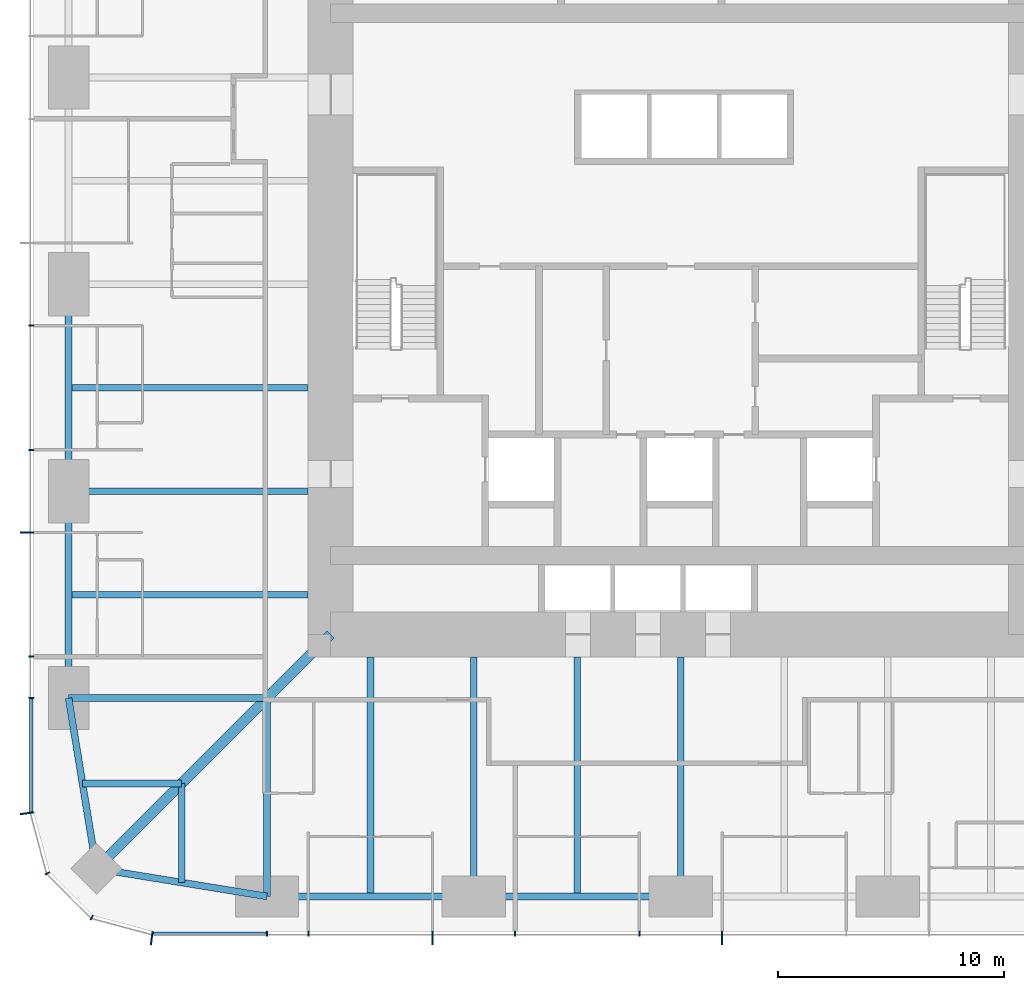
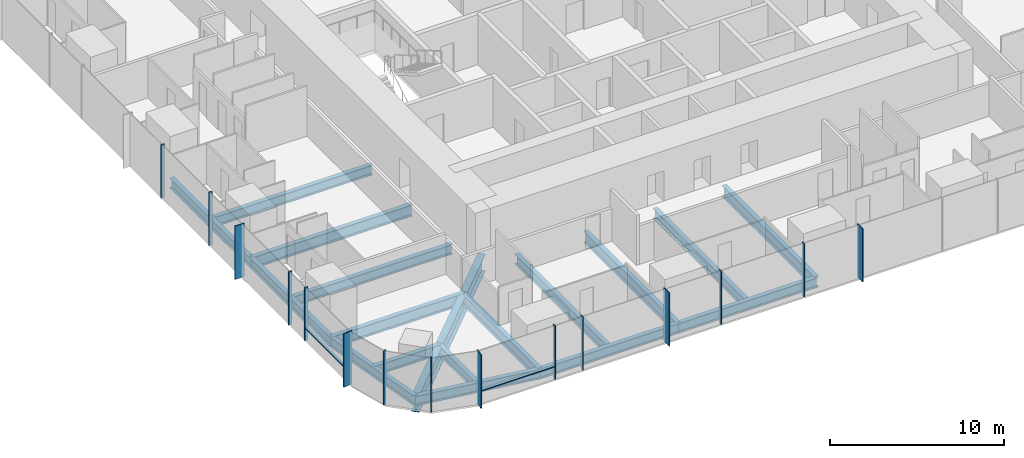
# One storey, part 2 of 13: 18 beams, 17 members, 3 elements without a shape of their own.
"""IFC4 building model written with IfcOpenShell, lengths in metres."""

from ifc_helpers import new_model, si_unit, direction, frame, origin, origin_2d, place, context, subcontext, project, spatial, rectangle, i_section, extrude, material, material_profile, profile_set, type_object, element, aggregate, save


model = new_model("IFC4")

# Units and contexts
model_context = context("Model", 3, precision=1e-05, world=origin(), true_north=direction((0.0, 1.0)))
body_context = subcontext(model_context, "Body", "Model", "MODEL_VIEW")
ifc_project = project(units=[si_unit("LENGTHUNIT", "METRE"), si_unit("AREAUNIT", "SQUARE_METRE"), si_unit("VOLUMEUNIT", "CUBIC_METRE"), si_unit("PLANEANGLEUNIT", "RADIAN"), si_unit("MASSUNIT", "GRAM", prefix="KILO")], contexts=[model_context])

# Site, building, storey
site_placement = place(None, origin())
site = spatial("IfcSite", under=ifc_project, at=site_placement, CompositionType="ELEMENT")
building_placement = place(site_placement, origin())
building = spatial("IfcBuilding", under=site, at=building_placement, Name="Khuree Lantern Residences", CompositionType="ELEMENT")
storey_placement = place(building_placement, frame((0.0, 0.0, 144.75)))
storey = spatial("IfcBuildingStorey", under=building, at=storey_placement, Name="L36", CompositionType="ELEMENT", Elevation=144.75)

# Beams
ifc_material_1 = material(Name="Steel S355", Category="steel")
ifc_material_profile_1 = material_profile(ifc_material_1, i_section(OverallWidth=0.300048828125, OverallDepth=0.68994140625, WebThickness=0.014404296875, FlangeThickness=0.027099609375, FilletRadius=0.027099609375, at=origin_2d()), Name="HE 700 A")
ifc_profile_set_1 = profile_set([ifc_material_profile_1], Name="Steel S355")
beam_type_1 = type_object("IfcBeamType", Name="B-23 SECONDARY BEAM HE 700 A", PredefinedType="BEAM", material=ifc_profile_set_1)
for number, where, z_axis, x_axis, name in (
    (1, (-4.580078125, -27.10009765625, -0.594970703125), (0.0, 1.0, 0.0), (-1.0, 0.0, 0.0), "Secondary beam S4"),
    (2, (-13.739990234375, -27.10009765625, -0.594970703125), (0.0, 1.0, 0.0), (-1.0, 0.0, 0.0), "Secondary beam S5"),
):
    element("IfcBeam", number, at=place(storey_placement, frame(where, z_axis=z_axis, x_axis=x_axis)), inside=storey, type_object=beam_type_1, Name=name, PredefinedType="BEAM", context=body_context, shape_type="SweptSolid", body=[
        extrude(i_section(OverallWidth=0.300048828125, OverallDepth=0.68994140625, WebThickness=0.014404296875, FlangeThickness=0.027099609375, FilletRadius=0.027099609375, at=origin_2d()), origin(), (0.0, 0.0, 1.0), 10.60009765625),
    ])
for number, where, z_axis, x_axis, name in (
    (3, (-22.094970703125, -26.48486328125, -0.594970703125), (0.0, 1.0, 0.0), (-1.0, 0.0, 0.0), "Secondary beam S6"),
    (4, (-26.48486328125, -22.094970703125, -0.594970703125), (1.0, 0.0, 0.0), (0.0, 1.0, 0.0), "Secondary beam W1"),
):
    element("IfcBeam", number, at=place(storey_placement, frame(where, z_axis=z_axis, x_axis=x_axis)), inside=storey, type_object=beam_type_1, Name=name, PredefinedType="BEAM", context=body_context, shape_type="SweptSolid", body=[
        extrude(i_section(OverallWidth=0.300048828125, OverallDepth=0.68994140625, WebThickness=0.014404296875, FlangeThickness=0.027099609375, FilletRadius=0.027099609375, at=origin_2d()), origin(), (0.0, 0.0, 1.0), 4.389892578125),
    ])
for number, where, z_axis, x_axis, name in (
    (5, (-27.10009765625, -13.739990234375, -0.594970703125), (1.0, 0.0, 0.0), (0.0, 1.0, 0.0), "Secondary beam W2"),
    (6, (-27.10009765625, -4.580078125, -0.594970703125), (1.0, 0.0, 0.0), (0.0, 1.0, 0.0), "Secondary beam W3"),
):
    element("IfcBeam", number, at=place(storey_placement, frame(where, z_axis=z_axis, x_axis=x_axis)), inside=storey, type_object=beam_type_1, Name=name, PredefinedType="BEAM", context=body_context, shape_type="SweptSolid", body=[
        extrude(i_section(OverallWidth=0.300048828125, OverallDepth=0.68994140625, WebThickness=0.014404296875, FlangeThickness=0.027099609375, FilletRadius=0.027099609375, at=origin_2d()), origin(), (0.0, 0.0, 1.0), 10.60009765625),
    ])
ifc_material_profile_2 = material_profile(ifc_material_1, i_section(OverallWidth=0.300048828125, OverallDepth=0.68994140625, WebThickness=0.014404296875, FlangeThickness=0.027099609375, FilletRadius=0.027099609375, at=origin_2d()), Name="HE 700 A")
ifc_profile_set_2 = profile_set([ifc_material_profile_2], Name="Steel S355")
beam_type_2 = type_object("IfcBeamType", Name="E-23 SPANDREL BEAM HE 700 A", PredefinedType="SPANDREL", material=ifc_profile_set_2)
beam_1_placement = place(storey_placement, frame((0.0, -27.10009765625, -0.594970703125), z_axis=(-1.0, 0.0, 0.0), x_axis=(0.0, -1.0, 0.0)))
element("IfcBeam", 7, at=beam_1_placement, inside=storey, type_object=beam_type_2, Name="Spandrel beam S4", PredefinedType="SPANDREL", context=body_context, shape_type="SweptSolid", body=[
    extrude(i_section(OverallWidth=0.300048828125, OverallDepth=0.68994140625, WebThickness=0.014404296875, FlangeThickness=0.027099609375, FilletRadius=0.027099609375, at=origin_2d()), origin(), (0.0, 0.0, 1.0), 9.159912109375),
])
beam_2_placement = place(storey_placement, frame((-9.159912109375, -27.10009765625, -0.594970703125), z_axis=(-1.0, 0.0, 0.0), x_axis=(0.0, -1.0, 0.0)))
element("IfcBeam", 8, at=beam_2_placement, inside=storey, type_object=beam_type_2, Name="Spandrel beam S5", PredefinedType="SPANDREL", context=body_context, shape_type="SweptSolid", body=[
    extrude(i_section(OverallWidth=0.300048828125, OverallDepth=0.68994140625, WebThickness=0.014404296875, FlangeThickness=0.027099609375, FilletRadius=0.027099609375, at=origin_2d()), origin(), (0.0, 0.0, 1.0), 9.16015625),
])
for number, where, z_axis, x_axis, name in (
    (9, (-18.320068359375, -27.10009765625, -0.594970703125), (-0.986982656839, 0.160826723833, 0.0), (-0.160826723833, -0.986982656839, 0.0), "Spandrel beam S6"),
    (10, (-25.869873046875, -25.869873046875, -0.594970703125), (-0.160826723833, 0.986982656839, 0.0), (-0.986982656839, -0.160826723833, 0.0), "Spandrel beam W1"),
):
    element("IfcBeam", number, at=place(storey_placement, frame(where, z_axis=z_axis, x_axis=x_axis)), inside=storey, type_object=beam_type_2, Name=name, PredefinedType="SPANDREL", context=body_context, shape_type="SweptSolid", body=[
        extrude(i_section(OverallWidth=0.300048828125, OverallDepth=0.68994140625, WebThickness=0.014404296875, FlangeThickness=0.027099609375, FilletRadius=0.027099609375, at=origin_2d()), origin(), (0.0, 0.0, 1.0), 7.6494140625),
    ])
beam_3_placement = place(storey_placement, frame((-27.10009765625, -18.320068359375, -0.594970703125), z_axis=(0.0, 1.0, 0.0), x_axis=(-1.0, 0.0, 0.0)))
element("IfcBeam", 11, at=beam_3_placement, inside=storey, type_object=beam_type_2, Name="Spandrel beam W2", PredefinedType="SPANDREL", context=body_context, shape_type="SweptSolid", body=[
    extrude(i_section(OverallWidth=0.300048828125, OverallDepth=0.68994140625, WebThickness=0.014404296875, FlangeThickness=0.027099609375, FilletRadius=0.027099609375, at=origin_2d()), origin(), (0.0, 0.0, 1.0), 9.16015625),
])
beam_4_placement = place(storey_placement, frame((-27.10009765625, -9.159912109375, -0.594970703125), z_axis=(0.0, 1.0, 0.0), x_axis=(-1.0, 0.0, 0.0)))
element("IfcBeam", 12, at=beam_4_placement, inside=storey, type_object=beam_type_2, Name="Spandrel beam W3", PredefinedType="SPANDREL", context=body_context, shape_type="SweptSolid", body=[
    extrude(i_section(OverallWidth=0.300048828125, OverallDepth=0.68994140625, WebThickness=0.014404296875, FlangeThickness=0.027099609375, FilletRadius=0.027099609375, at=origin_2d()), origin(), (0.0, 0.0, 1.0), 9.159912109375),
])

# Curtain wall, member
ifc_material_2 = material(Name="Bronze anodised aluminium", Category="aluminium")
curtain_wall_type_1 = type_object("IfcCurtainWallType", Name="CW-T1 TOWER FACE CURTAIN WALL", PredefinedType="USERDEFINED", material=ifc_material_2)
curtain_wall_1_placement = place(storey_placement, origin())
curtain_wall_1 = element("IfcCurtainWall", 13, at=curtain_wall_1_placement, inside=storey, type_object=curtain_wall_type_1, Name="L36 WEST FACE CURTAIN WALL", ObjectType="Stick-built curtain wall", PredefinedType="USERDEFINED")
ifc_material_profile_3 = material_profile(ifc_material_2, rectangle(XDim=0.06494140625, YDim=0.60009765625, at=origin_2d()), Name="F1 65X600")
ifc_profile_set_3 = profile_set([ifc_material_profile_3], Name="Bronze anodised aluminium")
member_type_1 = type_object("IfcMemberType", Name="F1 BRONZE FIN MULLION TOWER 65X600", PredefinedType="MULLION", material=ifc_profile_set_3)
member_1_placement = place(storey_placement, frame((-28.949951171875, -10.991943359375, 0.0), z_axis=(0.0, 0.0, 1.0), x_axis=(0.0, -1.0, 0.0)))
member_1 = element("IfcMember", 14, at=member_1_placement, type_object=member_type_1, Name="L36 WEST FACE FIN MULLION 40", PredefinedType="MULLION", context=body_context, shape_type="SweptSolid", body=[
    extrude(rectangle(XDim=0.06494140625, YDim=0.60009765625, at=origin_2d()), origin(), (0.0, 0.0, 1.0), 3.75),
])

curtain_wall_type_2 = type_object("IfcCurtainWallType", Name="CW-T2 TOWER CORNER CURTAIN WALL", PredefinedType="USERDEFINED", material=ifc_material_2)
curtain_wall_2_placement = place(storey_placement, origin())
curtain_wall_2 = element("IfcCurtainWall", 15, at=curtain_wall_2_placement, inside=storey, type_object=curtain_wall_type_2, Name="L36 SOUTH-WEST CORNER CURTAIN WALL", ObjectType="Faceted corner curtain wall", PredefinedType="USERDEFINED")
member_2_placement = place(storey_placement, frame((-28.9501953125, -23.419677734375, 0.0), z_axis=(0.0, 0.0, 1.0), x_axis=(0.130526223125, -0.991444857305, 0.0)))
member_2 = element("IfcMember", 16, at=member_2_placement, type_object=member_type_1, Name="L36 SOUTH-WEST CORNER FIN MULLION 43", PredefinedType="MULLION", context=body_context, shape_type="SweptSolid", body=[
    extrude(rectangle(XDim=0.06494140625, YDim=0.60009765625, at=origin_2d()), origin(), (0.0, 0.0, 1.0), 3.75),
])

# Curtain wall, members
curtain_wall_3_placement = place(storey_placement, origin())
curtain_wall_3 = element("IfcCurtainWall", 17, at=curtain_wall_3_placement, inside=storey, type_object=curtain_wall_type_1, Name="L36 SOUTH FACE CURTAIN WALL", ObjectType="Stick-built curtain wall", PredefinedType="USERDEFINED")
member_3_placement = place(storey_placement, frame((-23.419677734375, -28.9501953125, 0.0), z_axis=(0.0, 0.0, 1.0), x_axis=(0.991444857305, -0.130526223125, 0.0)))
member_3 = element("IfcMember", 18, at=member_3_placement, type_object=member_type_1, Name="L36 SOUTH FACE FIN MULLION 46", PredefinedType="MULLION", context=body_context, shape_type="SweptSolid", body=[
    extrude(rectangle(XDim=0.06494140625, YDim=0.60009765625, at=origin_2d()), origin(), (0.0, 0.0, 1.0), 3.75),
])
member_4_placement = place(storey_placement, frame((-10.991943359375, -28.949951171875, 0.0), z_axis=(0.0, 0.0, 1.0), x_axis=(1.0, 0.0, 0.0)))
member_4 = element("IfcMember", 19, at=member_4_placement, type_object=member_type_1, Name="L36 SOUTH FACE FIN MULLION 49", PredefinedType="MULLION", context=body_context, shape_type="SweptSolid", body=[
    extrude(rectangle(XDim=0.06494140625, YDim=0.60009765625, at=origin_2d()), origin(), (0.0, 0.0, 1.0), 3.75),
])
member_5_placement = place(storey_placement, frame((1.83203125, -28.949951171875, 0.0), z_axis=(0.0, 0.0, 1.0), x_axis=(1.0, 0.0, 0.0)))
member_5 = element("IfcMember", 20, at=member_5_placement, type_object=member_type_1, Name="L36 SOUTH FACE FIN MULLION 52", PredefinedType="MULLION", context=body_context, shape_type="SweptSolid", body=[
    extrude(rectangle(XDim=0.06494140625, YDim=0.60009765625, at=origin_2d()), origin(), (0.0, 0.0, 1.0), 3.75),
])

# Beams
ifc_material_profile_4 = material_profile(ifc_material_1, i_section(OverallWidth=0.300048828125, OverallDepth=0.800048828125, WebThickness=0.017578125, FlangeThickness=0.032958984375, FilletRadius=0.030029296875, at=origin_2d()), Name="HE 800 B")
ifc_profile_set_4 = profile_set([ifc_material_profile_4], Name="Steel S355")
beam_type_3 = type_object("IfcBeamType", Name="G-23 GIRDER HE 800 B", PredefinedType="BEAM", material=ifc_profile_set_4)
for number, where, z_axis, x_axis, name in (
    (21, (0.0, -27.10009765625, -0.64990234375), (0.0, 1.0, 0.0), (-1.0, 0.0, 0.0), "Girder S3"),
    (22, (-9.159912109375, -27.10009765625, -0.64990234375), (0.0, 1.0, 0.0), (-1.0, 0.0, 0.0), "Girder S4"),
):
    element("IfcBeam", number, at=place(storey_placement, frame(where, z_axis=z_axis, x_axis=x_axis)), inside=storey, type_object=beam_type_3, Name=name, PredefinedType="BEAM", context=body_context, shape_type="SweptSolid", body=[
        extrude(i_section(OverallWidth=0.300048828125, OverallDepth=0.800048828125, WebThickness=0.017578125, FlangeThickness=0.032958984375, FilletRadius=0.030029296875, at=origin_2d()), origin(), (0.0, 0.0, 1.0), 10.60009765625),
    ])
for number, where, z_axis, x_axis, name in (
    (23, (-18.320068359375, -27.10009765625, -0.64990234375), (0.0, 1.0, 0.0), (-1.0, 0.0, 0.0), "Girder S5"),
    (24, (-27.10009765625, -18.320068359375, -0.64990234375), (1.0, 0.0, 0.0), (0.0, 1.0, 0.0), "Girder W1"),
):
    element("IfcBeam", number, at=place(storey_placement, frame(where, z_axis=z_axis, x_axis=x_axis)), inside=storey, type_object=beam_type_3, Name=name, PredefinedType="BEAM", context=body_context, shape_type="SweptSolid", body=[
        extrude(i_section(OverallWidth=0.300048828125, OverallDepth=0.800048828125, WebThickness=0.017578125, FlangeThickness=0.032958984375, FilletRadius=0.030029296875, at=origin_2d()), origin(), (0.0, 0.0, 1.0), 8.780029296875),
    ])
beam_5_placement = place(storey_placement, frame((-27.10009765625, -9.159912109375, -0.64990234375), z_axis=(1.0, 0.0, 0.0), x_axis=(0.0, 1.0, 0.0)))
element("IfcBeam", 25, at=beam_5_placement, inside=storey, type_object=beam_type_3, Name="Girder W2", PredefinedType="BEAM", context=body_context, shape_type="SweptSolid", body=[
    extrude(i_section(OverallWidth=0.300048828125, OverallDepth=0.800048828125, WebThickness=0.017578125, FlangeThickness=0.032958984375, FilletRadius=0.030029296875, at=origin_2d()), origin(), (0.0, 0.0, 1.0), 10.60009765625),
])
ifc_material_profile_5 = material_profile(ifc_material_1, i_section(OverallWidth=0.449951171875, OverallDepth=1.199951171875, WebThickness=0.02490234375, FlangeThickness=0.044921875, at=origin_2d()), Name="WELDED I 1200X450X25X45")
ifc_profile_set_5 = profile_set([ifc_material_profile_5], Name="Steel S355")
beam_type_4 = type_object("IfcBeamType", Name="GD-23 CORNER GIRDER WELDED I 1200X450X25X45", PredefinedType="BEAM", material=ifc_profile_set_5)
beam_6_placement = place(storey_placement, frame((-25.869873046875, -25.869873046875, -0.85009765625), z_axis=(0.707106781187, 0.707106781187, 0.0), x_axis=(-0.707106781187, 0.707106781187, 0.0)))
element("IfcBeam", 26, at=beam_6_placement, inside=storey, type_object=beam_type_4, Name="Corner girder SW", PredefinedType="BEAM", context=body_context, shape_type="SweptSolid", body=[
    extrude(i_section(OverallWidth=0.449951171875, OverallDepth=1.199951171875, WebThickness=0.02490234375, FlangeThickness=0.044921875, at=origin_2d()), origin(), (0.0, 0.0, 1.0), 14.665283203125),
])

# Member
ifc_material_profile_6 = material_profile(ifc_material_2, rectangle(XDim=0.06494140625, YDim=0.219970703125, at=origin_2d()), Name="M1 65X220")
ifc_profile_set_6 = profile_set([ifc_material_profile_6], Name="Bronze anodised aluminium")
member_type_2 = type_object("IfcMemberType", Name="M1 BRONZE MULLION TOWER 65X220", PredefinedType="MULLION", material=ifc_profile_set_6)
member_6_placement = place(storey_placement, frame((-28.760009765625, -1.83203125, 0.0), z_axis=(0.0, 0.0, 1.0), x_axis=(0.0, -1.0, 0.0)))
member_6 = element("IfcMember", 27, at=member_6_placement, type_object=member_type_2, Name="L36 WEST FACE MULLION 38", PredefinedType="MULLION", context=body_context, shape_type="SweptSolid", body=[
    extrude(rectangle(XDim=0.06494140625, YDim=0.219970703125, at=origin_2d()), origin(), (0.0, 0.0, 1.0), 3.75),
])

member_7_placement = place(storey_placement, frame((-28.760009765625, -7.327880859375, 0.0), z_axis=(0.0, 0.0, 1.0), x_axis=(0.0, -1.0, 0.0)))
member_7 = element("IfcMember", 28, at=member_7_placement, type_object=member_type_2, Name="L36 WEST FACE MULLION 39", PredefinedType="MULLION", context=body_context, shape_type="SweptSolid", body=[
    extrude(rectangle(XDim=0.06494140625, YDim=0.219970703125, at=origin_2d()), origin(), (0.0, 0.0, 1.0), 3.75),
])

member_8_placement = place(storey_placement, frame((-28.760009765625, -16.488037109375, 0.0), z_axis=(0.0, 0.0, 1.0), x_axis=(0.0, -1.0, 0.0)))
member_8 = element("IfcMember", 29, at=member_8_placement, type_object=member_type_2, Name="L36 WEST FACE MULLION 41", PredefinedType="MULLION", context=body_context, shape_type="SweptSolid", body=[
    extrude(rectangle(XDim=0.06494140625, YDim=0.219970703125, at=origin_2d()), origin(), (0.0, 0.0, 1.0), 3.75),
])

member_9_placement = place(storey_placement, frame((-28.760009765625, -18.320068359375, 0.0), z_axis=(0.0, 0.0, 1.0), x_axis=(0.0, -1.0, 0.0)))
member_9 = element("IfcMember", 30, at=member_9_placement, type_object=member_type_2, Name="L36 WEST FACE MULLION 42", PredefinedType="MULLION", context=body_context, shape_type="SweptSolid", body=[
    extrude(rectangle(XDim=0.06494140625, YDim=0.219970703125, at=origin_2d()), origin(), (0.0, 0.0, 1.0), 3.75),
])

member_10_placement = place(storey_placement, frame((-28.0419921875, -26.080078125, 0.0), z_axis=(0.0, 0.0, 1.0), x_axis=(0.500000026995, -0.866025388199, 0.0)))
member_10 = element("IfcMember", 31, at=member_10_placement, type_object=member_type_2, Name="L36 SOUTH-WEST CORNER MULLION 44", PredefinedType="MULLION", context=body_context, shape_type="SweptSolid", body=[
    extrude(rectangle(XDim=0.06494140625, YDim=0.219970703125, at=origin_2d()), origin(), (0.0, 0.0, 1.0), 3.75),
])

member_11_placement = place(storey_placement, frame((-26.080078125, -28.0419921875, 0.0), z_axis=(0.0, 0.0, 1.0), x_axis=(0.866025388199, -0.500000026995, 0.0)))
member_11 = element("IfcMember", 32, at=member_11_placement, type_object=member_type_2, Name="L36 SOUTH-WEST CORNER MULLION 45", PredefinedType="MULLION", context=body_context, shape_type="SweptSolid", body=[
    extrude(rectangle(XDim=0.06494140625, YDim=0.219970703125, at=origin_2d()), origin(), (0.0, 0.0, 1.0), 3.75),
])

aggregate(curtain_wall_2, [member_2, member_10, member_11])

member_12_placement = place(storey_placement, frame((-18.320068359375, -28.760009765625, 0.0), z_axis=(0.0, 0.0, 1.0), x_axis=(1.0, 0.0, 0.0)))
member_12 = element("IfcMember", 33, at=member_12_placement, type_object=member_type_2, Name="L36 SOUTH FACE MULLION 47", PredefinedType="MULLION", context=body_context, shape_type="SweptSolid", body=[
    extrude(rectangle(XDim=0.06494140625, YDim=0.219970703125, at=origin_2d()), origin(), (0.0, 0.0, 1.0), 3.75),
])

member_13_placement = place(storey_placement, frame((-16.488037109375, -28.760009765625, 0.0), z_axis=(0.0, 0.0, 1.0), x_axis=(1.0, 0.0, 0.0)))
member_13 = element("IfcMember", 34, at=member_13_placement, type_object=member_type_2, Name="L36 SOUTH FACE MULLION 48", PredefinedType="MULLION", context=body_context, shape_type="SweptSolid", body=[
    extrude(rectangle(XDim=0.06494140625, YDim=0.219970703125, at=origin_2d()), origin(), (0.0, 0.0, 1.0), 3.75),
])

member_14_placement = place(storey_placement, frame((-7.327880859375, -28.760009765625, 0.0), z_axis=(0.0, 0.0, 1.0), x_axis=(1.0, 0.0, 0.0)))
member_14 = element("IfcMember", 35, at=member_14_placement, type_object=member_type_2, Name="L36 SOUTH FACE MULLION 50", PredefinedType="MULLION", context=body_context, shape_type="SweptSolid", body=[
    extrude(rectangle(XDim=0.06494140625, YDim=0.219970703125, at=origin_2d()), origin(), (0.0, 0.0, 1.0), 3.75),
])

member_15_placement = place(storey_placement, frame((-1.83203125, -28.760009765625, 0.0), z_axis=(0.0, 0.0, 1.0), x_axis=(1.0, 0.0, 0.0)))
member_15 = element("IfcMember", 36, at=member_15_placement, type_object=member_type_2, Name="L36 SOUTH FACE MULLION 51", PredefinedType="MULLION", context=body_context, shape_type="SweptSolid", body=[
    extrude(rectangle(XDim=0.06494140625, YDim=0.219970703125, at=origin_2d()), origin(), (0.0, 0.0, 1.0), 3.75),
])

ifc_material_profile_7 = material_profile(ifc_material_2, rectangle(XDim=0.179931640625, YDim=0.06494140625, at=origin_2d()), Name="T1 180X65")
ifc_profile_set_7 = profile_set([ifc_material_profile_7], Name="Bronze anodised aluminium")
member_type_3 = type_object("IfcMemberType", Name="TRANSOM T1 TOWER 180X65", PredefinedType="USERDEFINED", material=ifc_profile_set_7)
member_16_placement = place(storey_placement, frame((-28.77001953125, -18.3525390625, 0.89990234375), z_axis=(0.0, -1.0, 0.0), x_axis=(1.0, 0.0, 0.0)))
member_16 = element("IfcMember", 37, at=member_16_placement, type_object=member_type_3, Name="L36 WEST FACE TRANSOM 42.1", ObjectType="Transom", PredefinedType="USERDEFINED", context=body_context, shape_type="SweptSolid", body=[
    extrude(rectangle(XDim=0.179931640625, YDim=0.06494140625, at=origin_2d()), origin(), (0.0, 0.0, 1.0), 4.998779296875),
])

aggregate(curtain_wall_1, [member_6, member_7, member_1, member_8, member_9, member_16])

member_17_placement = place(storey_placement, frame((-23.351318359375, -28.77001953125, 0.89990234375), z_axis=(1.0, 0.0, 0.0), x_axis=(0.0, 1.0, 0.0)))
member_17 = element("IfcMember", 38, at=member_17_placement, type_object=member_type_3, Name="L36 SOUTH FACE TRANSOM 46.1", ObjectType="Transom", PredefinedType="USERDEFINED", context=body_context, shape_type="SweptSolid", body=[
    extrude(rectangle(XDim=0.179931640625, YDim=0.06494140625, at=origin_2d()), origin(), (0.0, 0.0, 1.0), 4.998779296875),
])

aggregate(curtain_wall_3, [member_3, member_12, member_13, member_4, member_14, member_15, member_5, member_17])

save(model, "model.ifc")
